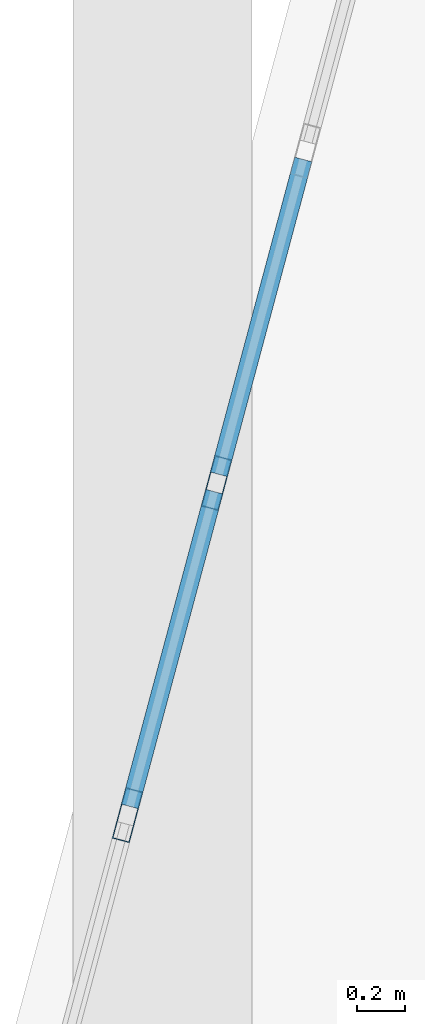
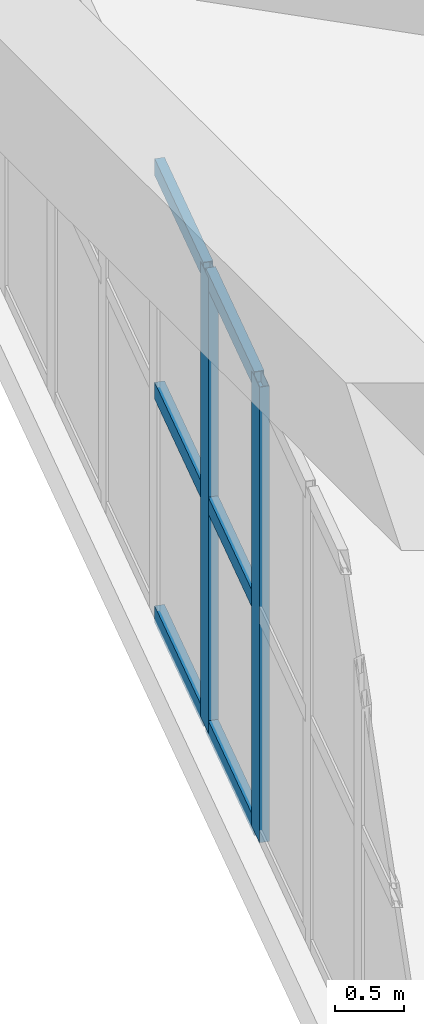
# One storey, part 15 of 34: 8 members, 1 element without a shape of its own.
"""IFC4 building model written with IfcOpenShell, lengths in metres."""

from ifc_helpers import new_model, si_unit, direction, frame, origin, origin_2d, place, context, subcontext, project, spatial, hollow_rectangle, extrude, material, layer, layer_set, material_profile, profile_set, type_object, element, aggregate, save


model = new_model("IFC4")

# Units and contexts
model_context = context("Model", 3, precision=1e-05, world=origin(), true_north=direction((0.0, 1.0)))
body_context = subcontext(model_context, "Body", "Model", "MODEL_VIEW")
ifc_project = project(units=[si_unit("LENGTHUNIT", "METRE"), si_unit("AREAUNIT", "SQUARE_METRE"), si_unit("VOLUMEUNIT", "CUBIC_METRE"), si_unit("PLANEANGLEUNIT", "RADIAN"), si_unit("MASSUNIT", "GRAM", prefix="KILO")], contexts=[model_context])

# Site, building, storey
site_placement = place(None, origin())
site = spatial("IfcSite", under=ifc_project, at=site_placement, CompositionType="ELEMENT")
building_placement = place(site_placement, origin())
building = spatial("IfcBuilding", under=site, at=building_placement, Name="Kilnhurst Terrace Hotel", CompositionType="ELEMENT")
storey_placement = place(building_placement, frame((0.0, 0.0, 6.0)))
storey = spatial("IfcBuildingStorey", under=building, at=storey_placement, Name="L01", CompositionType="ELEMENT", Elevation=6.0)

# Curtain wall, members
ifc_material_1 = material(Name="Anodized Aluminium Alloy 6063-T6 and Low-E Glass", Category="aluminium")
ifc_layer = layer(ifc_material_1, 0.219970703125, Name="Anodized Aluminium Alloy 6063-T6 and Low-E Glass")
ifc_layer_set = layer_set([ifc_layer], Name="Anodized Aluminium Alloy 6063-T6 and Low-E Glass")
curtain_wall_type = type_object("IfcCurtainWallType", Name="CW-POD-LOBBY", PredefinedType="NOTDEFINED", material=ifc_layer_set)
curtain_wall_placement = place(storey_placement, origin())
curtain_wall = element("IfcCurtainWall", 1, at=curtain_wall_placement, inside=storey, type_object=curtain_wall_type, Name="L01 Curtain Wall CW-L01-F5-1", PredefinedType="NOTDEFINED")
ifc_material_2 = material(Name="Extruded Aluminium Alloy 6063-T6", Category="aluminium")
ifc_material_profile_1 = material_profile(ifc_material_2, hollow_rectangle(XDim=0.074951171875, YDim=0.219970703125, WallThickness=0.00390625, at=origin_2d()), Name="CWM75X220")
ifc_profile_set_1 = profile_set([ifc_material_profile_1], Name="Extruded Aluminium Alloy 6063-T6")
member_type_1 = type_object("IfcMemberType", Name="MEM-CWM75X220", PredefinedType="MULLION", material=ifc_profile_set_1)
member_1_placement = place(storey_placement, frame((-27.374267578125, 14.7451171875, 0.0), z_axis=(0.0, 0.0, 1.0), x_axis=(0.965930332636, -0.258802226601, 0.0)))
member_1 = element("IfcMember", 2, at=member_1_placement, type_object=member_type_1, Name="CWL-1 mullion 5", PredefinedType="MULLION", context=body_context, shape_type="SweptSolid", body=[
    extrude(hollow_rectangle(XDim=0.074951171875, YDim=0.219970703125, WallThickness=0.00390625, at=origin_2d()), origin(), (0.0, 0.0, 1.0), 4.050048828125),
])
member_2_placement = place(storey_placement, frame((-27.74658203125, 13.355712890625, 0.0), z_axis=(0.0, 0.0, 1.0), x_axis=(0.965930332636, -0.258802226601, 0.0)))
member_2 = element("IfcMember", 3, at=member_2_placement, type_object=member_type_1, Name="CWL-1 mullion 6", PredefinedType="MULLION", context=body_context, shape_type="SweptSolid", body=[
    extrude(hollow_rectangle(XDim=0.074951171875, YDim=0.219970703125, WallThickness=0.00390625, at=origin_2d()), origin(), (0.0, 0.0, 1.0), 4.050048828125),
])
ifc_material_profile_2 = material_profile(ifc_material_2, hollow_rectangle(XDim=0.074951171875, YDim=0.14990234375, WallThickness=0.00390625, at=origin_2d()), Name="CWT75X150")
ifc_profile_set_2 = profile_set([ifc_material_profile_2], Name="Extruded Aluminium Alloy 6063-T6")
member_type_2 = type_object("IfcMemberType", Name="MEM-CWT75X150", PredefinedType="USERDEFINED", material=ifc_profile_set_2)
member_3_placement = place(storey_placement, frame((-27.01171875, 16.098388671875, 0.03759765625), z_axis=(-0.25872116915, -0.965952046757, 0.0), x_axis=(0.965952046757, -0.25872116915, 0.0)))
member_3 = element("IfcMember", 4, at=member_3_placement, type_object=member_type_2, Name="CWL-1 transom 4.1", ObjectType="TRANSOM", PredefinedType="USERDEFINED", context=body_context, shape_type="SweptSolid", body=[
    extrude(hollow_rectangle(XDim=0.074951171875, YDim=0.14990234375, WallThickness=0.00390625, at=origin_2d()), origin(), (0.0, 0.0, 1.0), 1.363525390625),
])
member_4_placement = place(storey_placement, frame((-27.01171875, 16.098388671875, 2.02490234375), z_axis=(-0.25872116915, -0.965952046757, 0.0), x_axis=(0.965952046757, -0.25872116915, 0.0)))
member_4 = element("IfcMember", 5, at=member_4_placement, type_object=member_type_2, Name="CWL-1 transom 4.2", ObjectType="TRANSOM", PredefinedType="USERDEFINED", context=body_context, shape_type="SweptSolid", body=[
    extrude(hollow_rectangle(XDim=0.074951171875, YDim=0.14990234375, WallThickness=0.00390625, at=origin_2d()), origin(), (0.0, 0.0, 1.0), 1.363525390625),
])
member_5_placement = place(storey_placement, frame((-27.01171875, 16.098388671875, 4.012451171875), z_axis=(-0.25872116915, -0.965952046757, 0.0), x_axis=(0.965952046757, -0.25872116915, 0.0)))
member_5 = element("IfcMember", 6, at=member_5_placement, type_object=member_type_2, Name="CWL-1 transom 4.3", ObjectType="TRANSOM", PredefinedType="USERDEFINED", context=body_context, shape_type="SweptSolid", body=[
    extrude(hollow_rectangle(XDim=0.074951171875, YDim=0.14990234375, WallThickness=0.00390625, at=origin_2d()), origin(), (0.0, 0.0, 1.0), 1.363525390625),
])
member_6_placement = place(storey_placement, frame((-27.384033203125, 14.708984375, 0.03759765625), z_axis=(-0.258765922348, -0.965940058923, 0.0), x_axis=(0.965940058923, -0.258765922348, 0.0)))
member_6 = element("IfcMember", 7, at=member_6_placement, type_object=member_type_2, Name="CWL-1 transom 5.1", ObjectType="TRANSOM", PredefinedType="USERDEFINED", context=body_context, shape_type="SweptSolid", body=[
    extrude(hollow_rectangle(XDim=0.074951171875, YDim=0.14990234375, WallThickness=0.00390625, at=origin_2d()), origin(), (0.0, 0.0, 1.0), 1.36328125),
])
member_7_placement = place(storey_placement, frame((-27.384033203125, 14.708984375, 2.02490234375), z_axis=(-0.258765922348, -0.965940058923, 0.0), x_axis=(0.965940058923, -0.258765922348, 0.0)))
member_7 = element("IfcMember", 8, at=member_7_placement, type_object=member_type_2, Name="CWL-1 transom 5.2", ObjectType="TRANSOM", PredefinedType="USERDEFINED", context=body_context, shape_type="SweptSolid", body=[
    extrude(hollow_rectangle(XDim=0.074951171875, YDim=0.14990234375, WallThickness=0.00390625, at=origin_2d()), origin(), (0.0, 0.0, 1.0), 1.36328125),
])
member_8_placement = place(storey_placement, frame((-27.384033203125, 14.708984375, 4.012451171875), z_axis=(-0.258765922348, -0.965940058923, 0.0), x_axis=(0.965940058923, -0.258765922348, 0.0)))
member_8 = element("IfcMember", 9, at=member_8_placement, type_object=member_type_2, Name="CWL-1 transom 5.3", ObjectType="TRANSOM", PredefinedType="USERDEFINED", context=body_context, shape_type="SweptSolid", body=[
    extrude(hollow_rectangle(XDim=0.074951171875, YDim=0.14990234375, WallThickness=0.00390625, at=origin_2d()), origin(), (0.0, 0.0, 1.0), 1.36328125),
])
aggregate(curtain_wall, [member_1, member_2, member_3, member_4, member_5, member_6, member_7, member_8])

save(model, "model.ifc")
